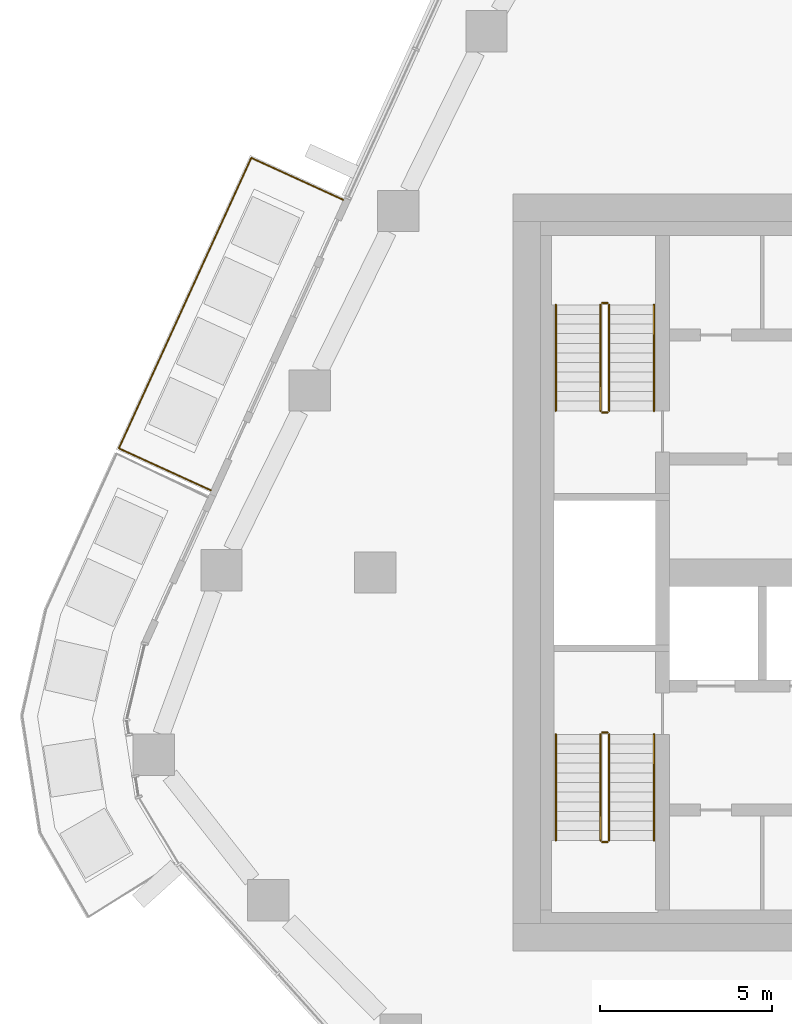
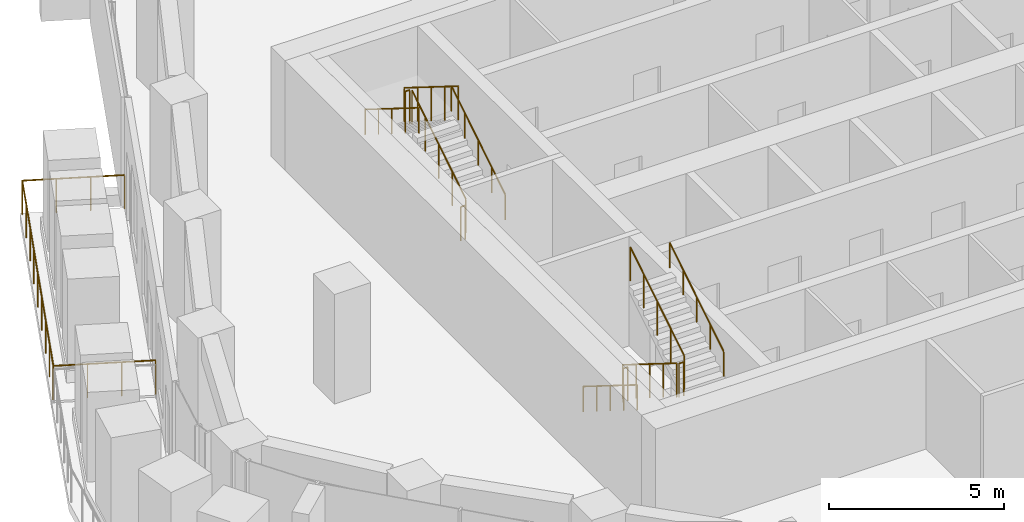
# One storey, part 16 of 18: 13 railings.
"""IFC4 building model written with IfcOpenShell, lengths in metres."""

from ifc_helpers import new_model, si_unit, direction, frame, origin, origin_2d, place, context, subcontext, project, spatial, circle, extrude, material, type_object, element, save


model = new_model("IFC4")

# Units and contexts
model_context = context("Model", 3, precision=1e-05, world=origin(), true_north=direction((0.0, 1.0)))
body_context = subcontext(model_context, "Body", "Model", "MODEL_VIEW")
ifc_project = project(units=[si_unit("LENGTHUNIT", "METRE"), si_unit("AREAUNIT", "SQUARE_METRE"), si_unit("VOLUMEUNIT", "CUBIC_METRE"), si_unit("PLANEANGLEUNIT", "RADIAN"), si_unit("MASSUNIT", "GRAM", prefix="KILO")], contexts=[model_context])

# Site, building, storey
site_placement = place(None, origin())
site = spatial("IfcSite", under=ifc_project, at=site_placement, CompositionType="ELEMENT")
building_placement = place(site_placement, origin())
building = spatial("IfcBuilding", under=site, at=building_placement, Name="Dongbaek Canopy Tower", CompositionType="ELEMENT")
storey_placement = place(building_placement, frame((0.0, 0.0, 203.0)))
storey = spatial("IfcBuildingStorey", under=building, at=storey_placement, Name="L42", CompositionType="ELEMENT", Elevation=203.0)

# Railings
ifc_material_1 = material(Name="Stainless steel", Category="steel")
railing_type_1 = type_object("IfcRailingType", Name="Balcony balustrade 1200", PredefinedType="BALUSTRADE", material=ifc_material_1)
railing_1_placement = place(storey_placement, frame((-18.92431640625, 10.82861328125, 0.0)))
element("IfcRailing", 1, at=railing_1_placement, inside=storey, type_object=railing_type_1, Name="Balcony guard L42 1", PredefinedType="BALUSTRADE", context=body_context, shape_type="SweptSolid", body=[
    extrude(circle(Radius=0.02392578125, at=origin_2d()), frame((0.0, 0.0, 1.17578125), z_axis=(-0.909910892542, 0.414803770033, 0.0), x_axis=(-0.414803770033, -0.909910892542, 0.0)), (0.0, 0.0, 1.0), 2.93994140625),
    extrude(circle(Radius=0.02392578125, at=origin_2d()), frame((-2.675048828125, 1.219482421875, 1.17578125), z_axis=(-0.414758607999, -0.909931479338, 0.0), x_axis=(0.909931479338, -0.414758607999, 0.0)), (0.0, 0.0, 1.0), 9.275146484375),
    extrude(circle(Radius=0.02392578125, at=origin_2d()), frame((-6.52197265625, -7.22021484375, 1.17578125), z_axis=(0.909910892542, -0.414803770033, 0.0), x_axis=(0.414803770033, 0.909910892542, 0.0)), (0.0, 0.0, 1.0), 2.93994140625),
    extrude(circle(Radius=0.02099609375, at=origin_2d()), origin(), (0.0, 0.0, 1.0), 1.15185546875),
    extrude(circle(Radius=0.02099609375, at=origin_2d()), frame((-0.8916015625, 0.406494140625, 0.0)), (0.0, 0.0, 1.0), 1.15185546875),
    extrude(circle(Radius=0.02099609375, at=origin_2d()), frame((-1.783447265625, 0.81298828125, 0.0)), (0.0, 0.0, 1.0), 1.15185546875),
    extrude(circle(Radius=0.02099609375, at=origin_2d()), frame((-2.675048828125, 1.219482421875, 0.0)), (0.0, 0.0, 1.0), 1.15185546875),
    extrude(circle(Radius=0.02099609375, at=origin_2d()), frame((-3.156005859375, 0.16455078125, 0.0)), (0.0, 0.0, 1.0), 1.15185546875),
    extrude(circle(Radius=0.02099609375, at=origin_2d()), frame((-3.63671875, -0.890380859375, 0.0)), (0.0, 0.0, 1.0), 1.15185546875),
    extrude(circle(Radius=0.02099609375, at=origin_2d()), frame((-4.11767578125, -1.9453125, 0.0)), (0.0, 0.0, 1.0), 1.15185546875),
    extrude(circle(Radius=0.02099609375, at=origin_2d()), frame((-4.5986328125, -3.00048828125, 0.0)), (0.0, 0.0, 1.0), 1.15185546875),
    extrude(circle(Radius=0.02099609375, at=origin_2d()), frame((-5.079345703125, -4.055419921875, 0.0)), (0.0, 0.0, 1.0), 1.15185546875),
    extrude(circle(Radius=0.02099609375, at=origin_2d()), frame((-5.560302734375, -5.1103515625, 0.0)), (0.0, 0.0, 1.0), 1.15185546875),
    extrude(circle(Radius=0.02099609375, at=origin_2d()), frame((-6.041015625, -6.165283203125, 0.0)), (0.0, 0.0, 1.0), 1.15185546875),
    extrude(circle(Radius=0.02099609375, at=origin_2d()), frame((-6.52197265625, -7.22021484375, 0.0)), (0.0, 0.0, 1.0), 1.15185546875),
    extrude(circle(Radius=0.02099609375, at=origin_2d()), frame((-5.63037109375, -7.626708984375, 0.0)), (0.0, 0.0, 1.0), 1.15185546875),
    extrude(circle(Radius=0.02099609375, at=origin_2d()), frame((-4.738525390625, -8.033203125, 0.0)), (0.0, 0.0, 1.0), 1.15185546875),
    extrude(circle(Radius=0.02099609375, at=origin_2d()), frame((-3.846923828125, -8.439697265625, 0.0)), (0.0, 0.0, 1.0), 1.15185546875),
])
ifc_material_2 = material(Name="Stainless steel tube and balusters", Category="steel")
railing_type_2 = type_object("IfcRailingType", Name="Stair guard 1200", PredefinedType="GUARDRAIL", material=ifc_material_2)
railing_2_placement = place(storey_placement, frame((-11.199951171875, 4.699951171875, 0.175048828125)))
element("IfcRailing", 2, at=railing_2_placement, inside=storey, type_object=railing_type_2, Name="L42 ST-C stair guard 1", PredefinedType="GUARDRAIL", context=body_context, shape_type="SweptSolid", body=[
    extrude(circle(Radius=0.02392578125, at=origin_2d()), frame((0.0, 0.0, 1.17578125), z_axis=(0.0, 0.847998304005, 0.529998940003), x_axis=(-1.0, 0.0, 0.0)), (0.0, 0.0, 1.0), 3.632080078125),
    extrude(circle(Radius=0.02099609375, at=origin_2d()), origin(), (0.0, 0.0, 1.0), 1.15185546875),
    extrude(circle(Radius=0.02099609375, at=origin_2d()), frame((0.0, 0.77001953125, 0.481201171875)), (0.0, 0.0, 1.0), 1.15185546875),
    extrude(circle(Radius=0.02099609375, at=origin_2d()), frame((0.0, 1.5400390625, 0.96240234375)), (0.0, 0.0, 1.0), 1.15185546875),
    extrude(circle(Radius=0.02099609375, at=origin_2d()), frame((0.0, 2.31005859375, 1.44384765625)), (0.0, 0.0, 1.0), 1.15185546875),
    extrude(circle(Radius=0.02099609375, at=origin_2d()), frame((0.0, 3.080078125, 1.925048828125)), (0.0, 0.0, 1.0), 1.15185546875),
])
railing_3_placement = place(storey_placement, frame((-11.25, 7.830078125, 2.10009765625)))
element("IfcRailing", 3, at=railing_3_placement, inside=storey, type_object=railing_type_2, Name="L42 ST-C stair guard 2", PredefinedType="GUARDRAIL", context=body_context, shape_type="SweptSolid", body=[
    extrude(circle(Radius=0.02392578125, at=origin_2d()), frame((0.0, 0.0, 1.17578125), z_axis=(-1.0, 0.0, 0.0), x_axis=(0.0, -1.0, 0.0)), (0.0, 0.0, 1.0), 0.14990234375),
    extrude(circle(Radius=0.02099609375, at=origin_2d()), origin(), (0.0, 0.0, 1.0), 1.15185546875),
    extrude(circle(Radius=0.02099609375, at=origin_2d()), frame((-0.14990234375, 0.0, 0.0)), (0.0, 0.0, 1.0), 1.15185546875),
])
railing_4_placement = place(storey_placement, frame((-11.449951171875, 7.780029296875, 2.27490234375)))
element("IfcRailing", 4, at=railing_4_placement, inside=storey, type_object=railing_type_2, Name="L42 ST-C stair guard 3", PredefinedType="GUARDRAIL", context=body_context, shape_type="SweptSolid", body=[
    extrude(circle(Radius=0.02392578125, at=origin_2d()), frame((0.0, 0.0, 1.17578125), z_axis=(0.0, -0.847998304005, 0.529998940003), x_axis=(1.0, 0.0, 0.0)), (0.0, 0.0, 1.0), 3.632080078125),
    extrude(circle(Radius=0.02099609375, at=origin_2d()), origin(), (0.0, 0.0, 1.0), 1.15185546875),
    extrude(circle(Radius=0.02099609375, at=origin_2d()), frame((0.0, -0.77001953125, 0.481201171875)), (0.0, 0.0, 1.0), 1.15185546875),
    extrude(circle(Radius=0.02099609375, at=origin_2d()), frame((0.0, -1.5400390625, 0.96240234375)), (0.0, 0.0, 1.0), 1.15185546875),
    extrude(circle(Radius=0.02099609375, at=origin_2d()), frame((0.0, -2.31005859375, 1.44384765625)), (0.0, 0.0, 1.0), 1.15185546875),
    extrude(circle(Radius=0.02099609375, at=origin_2d()), frame((0.0, -3.080078125, 1.925048828125)), (0.0, 0.0, 1.0), 1.15185546875),
])
railing_5_placement = place(storey_placement, frame((-11.25, 4.64990234375, 0.0)))
element("IfcRailing", 5, at=railing_5_placement, inside=storey, type_object=railing_type_2, Name="L42 ST-C stair guard 4", PredefinedType="GUARDRAIL", context=body_context, shape_type="SweptSolid", body=[
    extrude(circle(Radius=0.02392578125, at=origin_2d()), frame((0.0, 0.0, 1.17578125), z_axis=(-1.0, 0.0, 0.0), x_axis=(0.0, -1.0, 0.0)), (0.0, 0.0, 1.0), 0.14990234375),
    extrude(circle(Radius=0.02099609375, at=origin_2d()), origin(), (0.0, 0.0, 1.0), 1.15185546875),
    extrude(circle(Radius=0.02099609375, at=origin_2d()), frame((-0.14990234375, 0.0, 0.0)), (0.0, 0.0, 1.0), 1.15185546875),
])
railing_6_placement = place(storey_placement, frame((-11.449951171875, -4.699951171875, 0.175048828125)))
element("IfcRailing", 6, at=railing_6_placement, inside=storey, type_object=railing_type_2, Name="L42 ST-D stair guard 1", PredefinedType="GUARDRAIL", context=body_context, shape_type="SweptSolid", body=[
    extrude(circle(Radius=0.02392578125, at=origin_2d()), frame((0.0, 0.0, 1.17578125), z_axis=(0.0, -0.847998304005, 0.529998940003), x_axis=(1.0, 0.0, 0.0)), (0.0, 0.0, 1.0), 3.632080078125),
    extrude(circle(Radius=0.02099609375, at=origin_2d()), origin(), (0.0, 0.0, 1.0), 1.15185546875),
    extrude(circle(Radius=0.02099609375, at=origin_2d()), frame((0.0, -0.77001953125, 0.481201171875)), (0.0, 0.0, 1.0), 1.15185546875),
    extrude(circle(Radius=0.02099609375, at=origin_2d()), frame((0.0, -1.5400390625, 0.96240234375)), (0.0, 0.0, 1.0), 1.15185546875),
    extrude(circle(Radius=0.02099609375, at=origin_2d()), frame((0.0, -2.31005859375, 1.44384765625)), (0.0, 0.0, 1.0), 1.15185546875),
    extrude(circle(Radius=0.02099609375, at=origin_2d()), frame((0.0, -3.080078125, 1.925048828125)), (0.0, 0.0, 1.0), 1.15185546875),
])
railing_7_placement = place(storey_placement, frame((-11.39990234375, -7.830078125, 2.10009765625)))
element("IfcRailing", 7, at=railing_7_placement, inside=storey, type_object=railing_type_2, Name="L42 ST-D stair guard 2", PredefinedType="GUARDRAIL", context=body_context, shape_type="SweptSolid", body=[
    extrude(circle(Radius=0.02392578125, at=origin_2d()), frame((0.0, 0.0, 1.17578125), z_axis=(1.0, 0.0, 0.0), x_axis=(0.0, 1.0, 0.0)), (0.0, 0.0, 1.0), 0.14990234375),
    extrude(circle(Radius=0.02099609375, at=origin_2d()), origin(), (0.0, 0.0, 1.0), 1.15185546875),
    extrude(circle(Radius=0.02099609375, at=origin_2d()), frame((0.14990234375, 0.0, 0.0)), (0.0, 0.0, 1.0), 1.15185546875),
])
railing_8_placement = place(storey_placement, frame((-11.199951171875, -7.780029296875, 2.27490234375)))
element("IfcRailing", 8, at=railing_8_placement, inside=storey, type_object=railing_type_2, Name="L42 ST-D stair guard 3", PredefinedType="GUARDRAIL", context=body_context, shape_type="SweptSolid", body=[
    extrude(circle(Radius=0.02392578125, at=origin_2d()), frame((0.0, 0.0, 1.17578125), z_axis=(0.0, 0.847998304005, 0.529998940003), x_axis=(-1.0, 0.0, 0.0)), (0.0, 0.0, 1.0), 3.632080078125),
    extrude(circle(Radius=0.02099609375, at=origin_2d()), origin(), (0.0, 0.0, 1.0), 1.15185546875),
    extrude(circle(Radius=0.02099609375, at=origin_2d()), frame((0.0, 0.77001953125, 0.481201171875)), (0.0, 0.0, 1.0), 1.15185546875),
    extrude(circle(Radius=0.02099609375, at=origin_2d()), frame((0.0, 1.5400390625, 0.96240234375)), (0.0, 0.0, 1.0), 1.15185546875),
    extrude(circle(Radius=0.02099609375, at=origin_2d()), frame((0.0, 2.31005859375, 1.44384765625)), (0.0, 0.0, 1.0), 1.15185546875),
    extrude(circle(Radius=0.02099609375, at=origin_2d()), frame((0.0, 3.080078125, 1.925048828125)), (0.0, 0.0, 1.0), 1.15185546875),
])
railing_9_placement = place(storey_placement, frame((-11.39990234375, -4.64990234375, 0.0)))
element("IfcRailing", 9, at=railing_9_placement, inside=storey, type_object=railing_type_2, Name="L42 ST-D stair guard 4", PredefinedType="GUARDRAIL", context=body_context, shape_type="SweptSolid", body=[
    extrude(circle(Radius=0.02392578125, at=origin_2d()), frame((0.0, 0.0, 1.17578125), z_axis=(1.0, 0.0, 0.0), x_axis=(0.0, 1.0, 0.0)), (0.0, 0.0, 1.0), 0.14990234375),
    extrude(circle(Radius=0.02099609375, at=origin_2d()), origin(), (0.0, 0.0, 1.0), 1.15185546875),
    extrude(circle(Radius=0.02099609375, at=origin_2d()), frame((0.14990234375, 0.0, 0.0)), (0.0, 0.0, 1.0), 1.15185546875),
])
ifc_material_3 = material(Name="Stainless steel tube", Category="steel")
railing_type_3 = type_object("IfcRailingType", Name="Stair handrail 900", PredefinedType="HANDRAIL", material=ifc_material_3)
railing_10_placement = place(storey_placement, frame((-9.89990234375, 4.699951171875, 0.175048828125)))
element("IfcRailing", 10, at=railing_10_placement, inside=storey, type_object=railing_type_3, Name="L42 ST-C stair handrail 1", PredefinedType="HANDRAIL", context=body_context, shape_type="SweptSolid", body=[
    extrude(circle(Radius=0.02392578125, at=origin_2d()), frame((0.0, 0.0, 0.8759765625), z_axis=(0.0, 0.847998304005, 0.529998940003), x_axis=(-1.0, 0.0, 0.0)), (0.0, 0.0, 1.0), 3.632080078125),
    extrude(circle(Radius=0.02099609375, at=origin_2d()), origin(), (0.0, 0.0, 1.0), 0.851806640625),
    extrude(circle(Radius=0.02099609375, at=origin_2d()), frame((0.0, 0.77001953125, 0.481201171875)), (0.0, 0.0, 1.0), 0.851806640625),
    extrude(circle(Radius=0.02099609375, at=origin_2d()), frame((0.0, 1.5400390625, 0.96240234375)), (0.0, 0.0, 1.0), 0.851806640625),
    extrude(circle(Radius=0.02099609375, at=origin_2d()), frame((0.0, 2.31005859375, 1.44384765625)), (0.0, 0.0, 1.0), 0.851806640625),
    extrude(circle(Radius=0.02099609375, at=origin_2d()), frame((0.0, 3.080078125, 1.925048828125)), (0.0, 0.0, 1.0), 0.851806640625),
])
for number, where, name in (
    (11, (-12.75, 7.780029296875, 2.27490234375), "L42 ST-C stair handrail 2"),
    (12, (-12.75, -4.699951171875, 0.175048828125), "L42 ST-D stair handrail 1"),
):
    element("IfcRailing", number, at=place(storey_placement, frame(where)), inside=storey, type_object=railing_type_3, Name=name, PredefinedType="HANDRAIL", context=body_context, shape_type="SweptSolid", body=[
        extrude(circle(Radius=0.02392578125, at=origin_2d()), frame((0.0, 0.0, 0.8759765625), z_axis=(0.0, -0.847998304005, 0.529998940003), x_axis=(1.0, 0.0, 0.0)), (0.0, 0.0, 1.0), 3.632080078125),
        extrude(circle(Radius=0.02099609375, at=origin_2d()), origin(), (0.0, 0.0, 1.0), 0.851806640625),
        extrude(circle(Radius=0.02099609375, at=origin_2d()), frame((0.0, -0.77001953125, 0.481201171875)), (0.0, 0.0, 1.0), 0.851806640625),
        extrude(circle(Radius=0.02099609375, at=origin_2d()), frame((0.0, -1.5400390625, 0.96240234375)), (0.0, 0.0, 1.0), 0.851806640625),
        extrude(circle(Radius=0.02099609375, at=origin_2d()), frame((0.0, -2.31005859375, 1.44384765625)), (0.0, 0.0, 1.0), 0.851806640625),
        extrude(circle(Radius=0.02099609375, at=origin_2d()), frame((0.0, -3.080078125, 1.925048828125)), (0.0, 0.0, 1.0), 0.851806640625),
    ])
railing_11_placement = place(storey_placement, frame((-9.89990234375, -7.780029296875, 2.27490234375)))
element("IfcRailing", 13, at=railing_11_placement, inside=storey, type_object=railing_type_3, Name="L42 ST-D stair handrail 2", PredefinedType="HANDRAIL", context=body_context, shape_type="SweptSolid", body=[
    extrude(circle(Radius=0.02392578125, at=origin_2d()), frame((0.0, 0.0, 0.8759765625), z_axis=(0.0, 0.847998304005, 0.529998940003), x_axis=(-1.0, 0.0, 0.0)), (0.0, 0.0, 1.0), 3.632080078125),
    extrude(circle(Radius=0.02099609375, at=origin_2d()), origin(), (0.0, 0.0, 1.0), 0.851806640625),
    extrude(circle(Radius=0.02099609375, at=origin_2d()), frame((0.0, 0.77001953125, 0.481201171875)), (0.0, 0.0, 1.0), 0.851806640625),
    extrude(circle(Radius=0.02099609375, at=origin_2d()), frame((0.0, 1.5400390625, 0.96240234375)), (0.0, 0.0, 1.0), 0.851806640625),
    extrude(circle(Radius=0.02099609375, at=origin_2d()), frame((0.0, 2.31005859375, 1.44384765625)), (0.0, 0.0, 1.0), 0.851806640625),
    extrude(circle(Radius=0.02099609375, at=origin_2d()), frame((0.0, 3.080078125, 1.925048828125)), (0.0, 0.0, 1.0), 0.851806640625),
])

save(model, "model.ifc")
